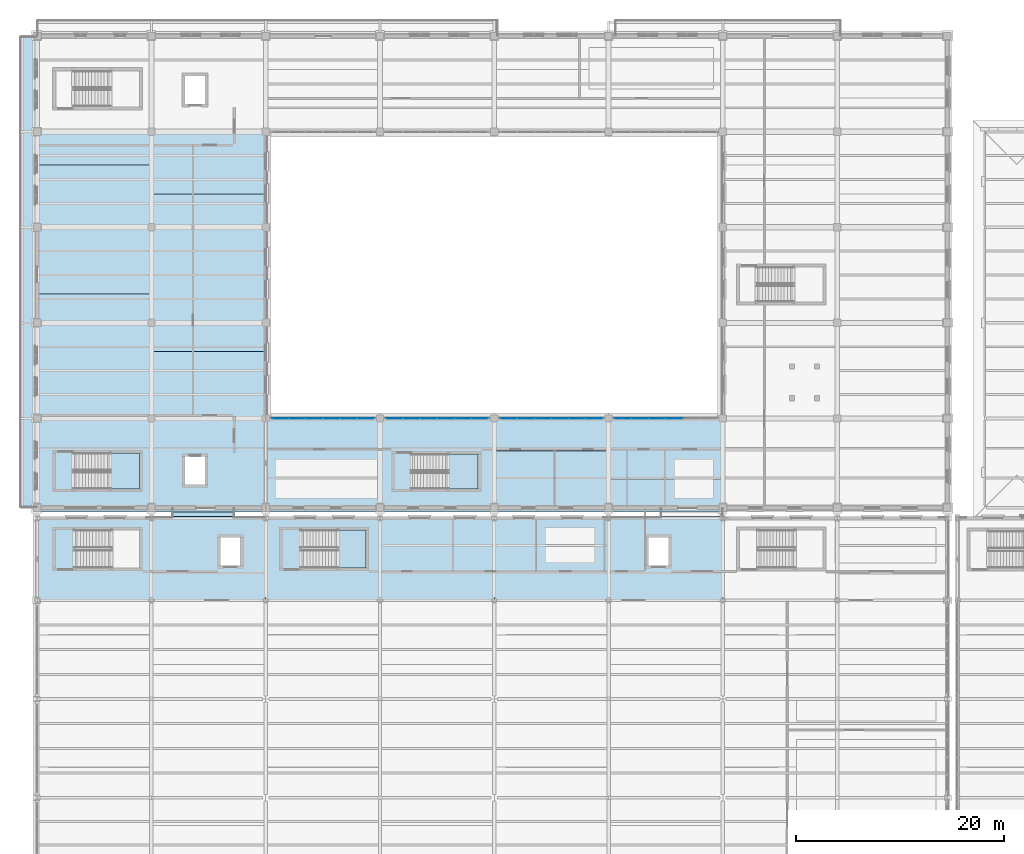
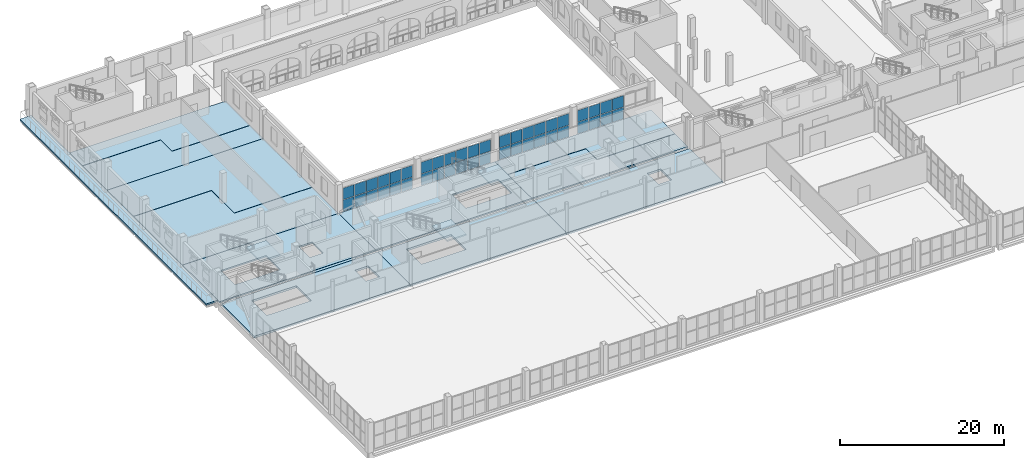
# One storey, part 105 of 156: 44 plates, 16 slabs, 7 elements without a shape of their own.
"""IFC4 building model written with IfcOpenShell, lengths in metres."""

from ifc_helpers import new_model, si_unit, direction, frame, origin, origin_2d, place, context, subcontext, project, spatial, polyline, rectangle, outline, extrude, material, layer, layer_set, type_object, element, aggregate, save


model = new_model("IFC4")

# Units and contexts
model_context = context("Model", 3, precision=1e-05, world=origin(), true_north=direction((0.0, 1.0)))
body_context = subcontext(model_context, "Body", "Model", "MODEL_VIEW")
ifc_project = project(units=[si_unit("LENGTHUNIT", "METRE"), si_unit("AREAUNIT", "SQUARE_METRE"), si_unit("VOLUMEUNIT", "CUBIC_METRE"), si_unit("PLANEANGLEUNIT", "RADIAN"), si_unit("MASSUNIT", "GRAM", prefix="KILO")], contexts=[model_context])

# Site, building, storey
site_placement = place(None, origin())
site = spatial("IfcSite", under=ifc_project, at=site_placement, CompositionType="ELEMENT")
building_placement = place(site_placement, origin())
building = spatial("IfcBuilding", under=site, at=building_placement, Name="Caurita Quay Ferry Terminal", CompositionType="ELEMENT")
storey_placement = place(building_placement, frame((0.0, 0.0, 5.39990234375)))
storey = spatial("IfcBuildingStorey", under=building, at=storey_placement, Name="L01", CompositionType="ELEMENT", Elevation=5.39990234375)

# Curtain wall, plates
ifc_material_1 = material(Name="Laminated solar-control insulated glass", Category="glass")
curtain_wall_type = type_object("IfcCurtainWallType", Name="CW-SYS-23", PredefinedType="NOTDEFINED", material=ifc_material_1)
curtain_wall_1_placement = place(storey_placement, origin())
curtain_wall_1 = element("IfcCurtainWall", 1, at=curtain_wall_1_placement, inside=storey, type_object=curtain_wall_type, Name="L01 Courtyard Cloister Storefront 156", PredefinedType="NOTDEFINED")
ifc_layer_1 = layer(ifc_material_1, 0.02392578125, Name="Laminated low-e hurricane-rated glazing unit 24 mm")
ifc_layer_set_1 = layer_set([ifc_layer_1], Name="Laminated solar-control insulated glass")
plate_type = type_object("IfcPlateType", Name="CW-PNL-24", PredefinedType="CURTAIN_PANEL", material=ifc_layer_set_1)
plate_1_placement = place(storey_placement, frame((23.389892578125, 80.199951171875, 0.05810546875), z_axis=(0.0, 0.0, 1.0), x_axis=(1.0, 0.0, 0.0)))
plate_1 = element("IfcPlate", 2, at=plate_1_placement, type_object=plate_type, Name="CW-CRT-156 Glazing Panel 1", PredefinedType="CURTAIN_PANEL", context=body_context, shape_type="SweptSolid", body=[
    extrude(rectangle(XDim=1.56396484375, YDim=0.02392578125, at=origin_2d()), origin(), (0.0, 0.0, 1.0), 1.714111328125),
])
plate_2_placement = place(storey_placement, frame((23.389892578125, 80.199951171875, 1.828125), z_axis=(0.0, 0.0, 1.0), x_axis=(1.0, 0.0, 0.0)))
plate_2 = element("IfcPlate", 3, at=plate_2_placement, type_object=plate_type, Name="CW-CRT-156 Glazing Panel 2", PredefinedType="CURTAIN_PANEL", context=body_context, shape_type="SweptSolid", body=[
    extrude(rectangle(XDim=1.56396484375, YDim=0.02392578125, at=origin_2d()), origin(), (0.0, 0.0, 1.0), 1.714111328125),
])
plate_3_placement = place(storey_placement, frame((25.02490234375, 80.199951171875, 0.05810546875), z_axis=(0.0, 0.0, 1.0), x_axis=(1.0, 0.0, 0.0)))
plate_3 = element("IfcPlate", 4, at=plate_3_placement, type_object=plate_type, Name="CW-CRT-156 Glazing Panel 3", PredefinedType="CURTAIN_PANEL", context=body_context, shape_type="SweptSolid", body=[
    extrude(rectangle(XDim=1.593994140625, YDim=0.02392578125, at=origin_2d()), origin(), (0.0, 0.0, 1.0), 1.714111328125),
])
plate_4_placement = place(storey_placement, frame((25.02490234375, 80.199951171875, 1.828125), z_axis=(0.0, 0.0, 1.0), x_axis=(1.0, 0.0, 0.0)))
plate_4 = element("IfcPlate", 5, at=plate_4_placement, type_object=plate_type, Name="CW-CRT-156 Glazing Panel 4", PredefinedType="CURTAIN_PANEL", context=body_context, shape_type="SweptSolid", body=[
    extrude(rectangle(XDim=1.593994140625, YDim=0.02392578125, at=origin_2d()), origin(), (0.0, 0.0, 1.0), 1.714111328125),
])
plate_5_placement = place(storey_placement, frame((26.675048828125, 80.199951171875, 0.05810546875), z_axis=(0.0, 0.0, 1.0), x_axis=(1.0, 0.0, 0.0)))
plate_5 = element("IfcPlate", 6, at=plate_5_placement, type_object=plate_type, Name="CW-CRT-156 Glazing Panel 5", PredefinedType="CURTAIN_PANEL", context=body_context, shape_type="SweptSolid", body=[
    extrude(rectangle(XDim=1.593994140625, YDim=0.02392578125, at=origin_2d()), origin(), (0.0, 0.0, 1.0), 1.714111328125),
])
plate_6_placement = place(storey_placement, frame((26.675048828125, 80.199951171875, 1.828125), z_axis=(0.0, 0.0, 1.0), x_axis=(1.0, 0.0, 0.0)))
plate_6 = element("IfcPlate", 7, at=plate_6_placement, type_object=plate_type, Name="CW-CRT-156 Glazing Panel 6", PredefinedType="CURTAIN_PANEL", context=body_context, shape_type="SweptSolid", body=[
    extrude(rectangle(XDim=1.593994140625, YDim=0.02392578125, at=origin_2d()), origin(), (0.0, 0.0, 1.0), 1.714111328125),
])
plate_7_placement = place(storey_placement, frame((28.324951171875, 80.199951171875, 0.05810546875), z_axis=(0.0, 0.0, 1.0), x_axis=(1.0, 0.0, 0.0)))
plate_7 = element("IfcPlate", 8, at=plate_7_placement, type_object=plate_type, Name="CW-CRT-156 Glazing Panel 7", PredefinedType="CURTAIN_PANEL", context=body_context, shape_type="SweptSolid", body=[
    extrude(rectangle(XDim=1.593994140625, YDim=0.02392578125, at=origin_2d()), origin(), (0.0, 0.0, 1.0), 1.714111328125),
])
plate_8_placement = place(storey_placement, frame((28.324951171875, 80.199951171875, 1.828125), z_axis=(0.0, 0.0, 1.0), x_axis=(1.0, 0.0, 0.0)))
plate_8 = element("IfcPlate", 9, at=plate_8_placement, type_object=plate_type, Name="CW-CRT-156 Glazing Panel 8", PredefinedType="CURTAIN_PANEL", context=body_context, shape_type="SweptSolid", body=[
    extrude(rectangle(XDim=1.593994140625, YDim=0.02392578125, at=origin_2d()), origin(), (0.0, 0.0, 1.0), 1.714111328125),
])
plate_9_placement = place(storey_placement, frame((29.97509765625, 80.199951171875, 0.05810546875), z_axis=(0.0, 0.0, 1.0), x_axis=(1.0, 0.0, 0.0)))
plate_9 = element("IfcPlate", 10, at=plate_9_placement, type_object=plate_type, Name="CW-CRT-156 Glazing Panel 9", PredefinedType="CURTAIN_PANEL", context=body_context, shape_type="SweptSolid", body=[
    extrude(rectangle(XDim=1.593994140625, YDim=0.02392578125, at=origin_2d()), origin(), (0.0, 0.0, 1.0), 1.714111328125),
])
plate_10_placement = place(storey_placement, frame((29.97509765625, 80.199951171875, 1.828125), z_axis=(0.0, 0.0, 1.0), x_axis=(1.0, 0.0, 0.0)))
plate_10 = element("IfcPlate", 11, at=plate_10_placement, type_object=plate_type, Name="CW-CRT-156 Glazing Panel 10", PredefinedType="CURTAIN_PANEL", context=body_context, shape_type="SweptSolid", body=[
    extrude(rectangle(XDim=1.593994140625, YDim=0.02392578125, at=origin_2d()), origin(), (0.0, 0.0, 1.0), 1.714111328125),
])
plate_11_placement = place(storey_placement, frame((31.610107421875, 80.199951171875, 0.05810546875), z_axis=(0.0, 0.0, 1.0), x_axis=(1.0, 0.0, 0.0)))
plate_11 = element("IfcPlate", 12, at=plate_11_placement, type_object=plate_type, Name="CW-CRT-156 Glazing Panel 11", PredefinedType="CURTAIN_PANEL", context=body_context, shape_type="SweptSolid", body=[
    extrude(rectangle(XDim=1.56396484375, YDim=0.02392578125, at=origin_2d()), origin(), (0.0, 0.0, 1.0), 1.714111328125),
])
plate_12_placement = place(storey_placement, frame((31.610107421875, 80.199951171875, 1.828125), z_axis=(0.0, 0.0, 1.0), x_axis=(1.0, 0.0, 0.0)))
plate_12 = element("IfcPlate", 13, at=plate_12_placement, type_object=plate_type, Name="CW-CRT-156 Glazing Panel 12", PredefinedType="CURTAIN_PANEL", context=body_context, shape_type="SweptSolid", body=[
    extrude(rectangle(XDim=1.56396484375, YDim=0.02392578125, at=origin_2d()), origin(), (0.0, 0.0, 1.0), 1.714111328125),
])
aggregate(curtain_wall_1, [plate_1, plate_2, plate_3, plate_4, plate_5, plate_6, plate_7, plate_8, plate_9, plate_10, plate_11, plate_12])

curtain_wall_2_placement = place(storey_placement, origin())
curtain_wall_2 = element("IfcCurtainWall", 14, at=curtain_wall_2_placement, inside=storey, type_object=curtain_wall_type, Name="L01 Courtyard Cloister Storefront 157", PredefinedType="NOTDEFINED")
plate_13_placement = place(storey_placement, frame((34.389892578125, 80.199951171875, 0.05810546875), z_axis=(0.0, 0.0, 1.0), x_axis=(1.0, 0.0, 0.0)))
plate_13 = element("IfcPlate", 15, at=plate_13_placement, type_object=plate_type, Name="CW-CRT-157 Glazing Panel 1", PredefinedType="CURTAIN_PANEL", context=body_context, shape_type="SweptSolid", body=[
    extrude(rectangle(XDim=1.56396484375, YDim=0.02392578125, at=origin_2d()), origin(), (0.0, 0.0, 1.0), 1.714111328125),
])
plate_14_placement = place(storey_placement, frame((34.389892578125, 80.199951171875, 1.828125), z_axis=(0.0, 0.0, 1.0), x_axis=(1.0, 0.0, 0.0)))
plate_14 = element("IfcPlate", 16, at=plate_14_placement, type_object=plate_type, Name="CW-CRT-157 Glazing Panel 2", PredefinedType="CURTAIN_PANEL", context=body_context, shape_type="SweptSolid", body=[
    extrude(rectangle(XDim=1.56396484375, YDim=0.02392578125, at=origin_2d()), origin(), (0.0, 0.0, 1.0), 1.714111328125),
])
plate_15_placement = place(storey_placement, frame((36.02490234375, 80.199951171875, 0.05810546875), z_axis=(0.0, 0.0, 1.0), x_axis=(1.0, 0.0, 0.0)))
plate_15 = element("IfcPlate", 17, at=plate_15_placement, type_object=plate_type, Name="CW-CRT-157 Glazing Panel 3", PredefinedType="CURTAIN_PANEL", context=body_context, shape_type="SweptSolid", body=[
    extrude(rectangle(XDim=1.593994140625, YDim=0.02392578125, at=origin_2d()), origin(), (0.0, 0.0, 1.0), 1.714111328125),
])
plate_16_placement = place(storey_placement, frame((36.02490234375, 80.199951171875, 1.828125), z_axis=(0.0, 0.0, 1.0), x_axis=(1.0, 0.0, 0.0)))
plate_16 = element("IfcPlate", 18, at=plate_16_placement, type_object=plate_type, Name="CW-CRT-157 Glazing Panel 4", PredefinedType="CURTAIN_PANEL", context=body_context, shape_type="SweptSolid", body=[
    extrude(rectangle(XDim=1.593994140625, YDim=0.02392578125, at=origin_2d()), origin(), (0.0, 0.0, 1.0), 1.714111328125),
])
plate_17_placement = place(storey_placement, frame((37.675048828125, 80.199951171875, 0.05810546875), z_axis=(0.0, 0.0, 1.0), x_axis=(1.0, 0.0, 0.0)))
plate_17 = element("IfcPlate", 19, at=plate_17_placement, type_object=plate_type, Name="CW-CRT-157 Glazing Panel 5", PredefinedType="CURTAIN_PANEL", context=body_context, shape_type="SweptSolid", body=[
    extrude(rectangle(XDim=1.593994140625, YDim=0.02392578125, at=origin_2d()), origin(), (0.0, 0.0, 1.0), 1.714111328125),
])
plate_18_placement = place(storey_placement, frame((37.675048828125, 80.199951171875, 1.828125), z_axis=(0.0, 0.0, 1.0), x_axis=(1.0, 0.0, 0.0)))
plate_18 = element("IfcPlate", 20, at=plate_18_placement, type_object=plate_type, Name="CW-CRT-157 Glazing Panel 6", PredefinedType="CURTAIN_PANEL", context=body_context, shape_type="SweptSolid", body=[
    extrude(rectangle(XDim=1.593994140625, YDim=0.02392578125, at=origin_2d()), origin(), (0.0, 0.0, 1.0), 1.714111328125),
])
plate_19_placement = place(storey_placement, frame((39.324951171875, 80.199951171875, 0.05810546875), z_axis=(0.0, 0.0, 1.0), x_axis=(1.0, 0.0, 0.0)))
plate_19 = element("IfcPlate", 21, at=plate_19_placement, type_object=plate_type, Name="CW-CRT-157 Glazing Panel 7", PredefinedType="CURTAIN_PANEL", context=body_context, shape_type="SweptSolid", body=[
    extrude(rectangle(XDim=1.593994140625, YDim=0.02392578125, at=origin_2d()), origin(), (0.0, 0.0, 1.0), 1.714111328125),
])
plate_20_placement = place(storey_placement, frame((39.324951171875, 80.199951171875, 1.828125), z_axis=(0.0, 0.0, 1.0), x_axis=(1.0, 0.0, 0.0)))
plate_20 = element("IfcPlate", 22, at=plate_20_placement, type_object=plate_type, Name="CW-CRT-157 Glazing Panel 8", PredefinedType="CURTAIN_PANEL", context=body_context, shape_type="SweptSolid", body=[
    extrude(rectangle(XDim=1.593994140625, YDim=0.02392578125, at=origin_2d()), origin(), (0.0, 0.0, 1.0), 1.714111328125),
])
plate_21_placement = place(storey_placement, frame((40.97509765625, 80.199951171875, 0.05810546875), z_axis=(0.0, 0.0, 1.0), x_axis=(1.0, 0.0, 0.0)))
plate_21 = element("IfcPlate", 23, at=plate_21_placement, type_object=plate_type, Name="CW-CRT-157 Glazing Panel 9", PredefinedType="CURTAIN_PANEL", context=body_context, shape_type="SweptSolid", body=[
    extrude(rectangle(XDim=1.593994140625, YDim=0.02392578125, at=origin_2d()), origin(), (0.0, 0.0, 1.0), 1.714111328125),
])
plate_22_placement = place(storey_placement, frame((40.97509765625, 80.199951171875, 1.828125), z_axis=(0.0, 0.0, 1.0), x_axis=(1.0, 0.0, 0.0)))
plate_22 = element("IfcPlate", 24, at=plate_22_placement, type_object=plate_type, Name="CW-CRT-157 Glazing Panel 10", PredefinedType="CURTAIN_PANEL", context=body_context, shape_type="SweptSolid", body=[
    extrude(rectangle(XDim=1.593994140625, YDim=0.02392578125, at=origin_2d()), origin(), (0.0, 0.0, 1.0), 1.714111328125),
])
plate_23_placement = place(storey_placement, frame((42.610107421875, 80.199951171875, 0.05810546875), z_axis=(0.0, 0.0, 1.0), x_axis=(1.0, 0.0, 0.0)))
plate_23 = element("IfcPlate", 25, at=plate_23_placement, type_object=plate_type, Name="CW-CRT-157 Glazing Panel 11", PredefinedType="CURTAIN_PANEL", context=body_context, shape_type="SweptSolid", body=[
    extrude(rectangle(XDim=1.56396484375, YDim=0.02392578125, at=origin_2d()), origin(), (0.0, 0.0, 1.0), 1.714111328125),
])
plate_24_placement = place(storey_placement, frame((42.610107421875, 80.199951171875, 1.828125), z_axis=(0.0, 0.0, 1.0), x_axis=(1.0, 0.0, 0.0)))
plate_24 = element("IfcPlate", 26, at=plate_24_placement, type_object=plate_type, Name="CW-CRT-157 Glazing Panel 12", PredefinedType="CURTAIN_PANEL", context=body_context, shape_type="SweptSolid", body=[
    extrude(rectangle(XDim=1.56396484375, YDim=0.02392578125, at=origin_2d()), origin(), (0.0, 0.0, 1.0), 1.714111328125),
])
aggregate(curtain_wall_2, [plate_13, plate_14, plate_15, plate_16, plate_17, plate_18, plate_19, plate_20, plate_21, plate_22, plate_23, plate_24])

curtain_wall_3_placement = place(storey_placement, origin())
curtain_wall_3 = element("IfcCurtainWall", 27, at=curtain_wall_3_placement, inside=storey, type_object=curtain_wall_type, Name="L01 Courtyard Cloister Storefront 158", PredefinedType="NOTDEFINED")
plate_25_placement = place(storey_placement, frame((45.389892578125, 80.199951171875, 0.05810546875), z_axis=(0.0, 0.0, 1.0), x_axis=(1.0, 0.0, 0.0)))
plate_25 = element("IfcPlate", 28, at=plate_25_placement, type_object=plate_type, Name="CW-CRT-158 Glazing Panel 1", PredefinedType="CURTAIN_PANEL", context=body_context, shape_type="SweptSolid", body=[
    extrude(rectangle(XDim=1.56396484375, YDim=0.02392578125, at=origin_2d()), origin(), (0.0, 0.0, 1.0), 1.714111328125),
])
plate_26_placement = place(storey_placement, frame((45.389892578125, 80.199951171875, 1.828125), z_axis=(0.0, 0.0, 1.0), x_axis=(1.0, 0.0, 0.0)))
plate_26 = element("IfcPlate", 29, at=plate_26_placement, type_object=plate_type, Name="CW-CRT-158 Glazing Panel 2", PredefinedType="CURTAIN_PANEL", context=body_context, shape_type="SweptSolid", body=[
    extrude(rectangle(XDim=1.56396484375, YDim=0.02392578125, at=origin_2d()), origin(), (0.0, 0.0, 1.0), 1.714111328125),
])
plate_27_placement = place(storey_placement, frame((47.02490234375, 80.199951171875, 0.05810546875), z_axis=(0.0, 0.0, 1.0), x_axis=(1.0, 0.0, 0.0)))
plate_27 = element("IfcPlate", 30, at=plate_27_placement, type_object=plate_type, Name="CW-CRT-158 Glazing Panel 3", PredefinedType="CURTAIN_PANEL", context=body_context, shape_type="SweptSolid", body=[
    extrude(rectangle(XDim=1.593994140625, YDim=0.02392578125, at=origin_2d()), origin(), (0.0, 0.0, 1.0), 1.714111328125),
])
plate_28_placement = place(storey_placement, frame((47.02490234375, 80.199951171875, 1.828125), z_axis=(0.0, 0.0, 1.0), x_axis=(1.0, 0.0, 0.0)))
plate_28 = element("IfcPlate", 31, at=plate_28_placement, type_object=plate_type, Name="CW-CRT-158 Glazing Panel 4", PredefinedType="CURTAIN_PANEL", context=body_context, shape_type="SweptSolid", body=[
    extrude(rectangle(XDim=1.593994140625, YDim=0.02392578125, at=origin_2d()), origin(), (0.0, 0.0, 1.0), 1.714111328125),
])
plate_29_placement = place(storey_placement, frame((48.675048828125, 80.199951171875, 0.05810546875), z_axis=(0.0, 0.0, 1.0), x_axis=(1.0, 0.0, 0.0)))
plate_29 = element("IfcPlate", 32, at=plate_29_placement, type_object=plate_type, Name="CW-CRT-158 Glazing Panel 5", PredefinedType="CURTAIN_PANEL", context=body_context, shape_type="SweptSolid", body=[
    extrude(rectangle(XDim=1.593994140625, YDim=0.02392578125, at=origin_2d()), origin(), (0.0, 0.0, 1.0), 1.714111328125),
])
plate_30_placement = place(storey_placement, frame((48.675048828125, 80.199951171875, 1.828125), z_axis=(0.0, 0.0, 1.0), x_axis=(1.0, 0.0, 0.0)))
plate_30 = element("IfcPlate", 33, at=plate_30_placement, type_object=plate_type, Name="CW-CRT-158 Glazing Panel 6", PredefinedType="CURTAIN_PANEL", context=body_context, shape_type="SweptSolid", body=[
    extrude(rectangle(XDim=1.593994140625, YDim=0.02392578125, at=origin_2d()), origin(), (0.0, 0.0, 1.0), 1.714111328125),
])
plate_31_placement = place(storey_placement, frame((50.324951171875, 80.199951171875, 0.05810546875), z_axis=(0.0, 0.0, 1.0), x_axis=(1.0, 0.0, 0.0)))
plate_31 = element("IfcPlate", 34, at=plate_31_placement, type_object=plate_type, Name="CW-CRT-158 Glazing Panel 7", PredefinedType="CURTAIN_PANEL", context=body_context, shape_type="SweptSolid", body=[
    extrude(rectangle(XDim=1.593994140625, YDim=0.02392578125, at=origin_2d()), origin(), (0.0, 0.0, 1.0), 1.714111328125),
])
plate_32_placement = place(storey_placement, frame((50.324951171875, 80.199951171875, 1.828125), z_axis=(0.0, 0.0, 1.0), x_axis=(1.0, 0.0, 0.0)))
plate_32 = element("IfcPlate", 35, at=plate_32_placement, type_object=plate_type, Name="CW-CRT-158 Glazing Panel 8", PredefinedType="CURTAIN_PANEL", context=body_context, shape_type="SweptSolid", body=[
    extrude(rectangle(XDim=1.593994140625, YDim=0.02392578125, at=origin_2d()), origin(), (0.0, 0.0, 1.0), 1.714111328125),
])
plate_33_placement = place(storey_placement, frame((51.97509765625, 80.199951171875, 0.05810546875), z_axis=(0.0, 0.0, 1.0), x_axis=(1.0, 0.0, 0.0)))
plate_33 = element("IfcPlate", 36, at=plate_33_placement, type_object=plate_type, Name="CW-CRT-158 Glazing Panel 9", PredefinedType="CURTAIN_PANEL", context=body_context, shape_type="SweptSolid", body=[
    extrude(rectangle(XDim=1.593994140625, YDim=0.02392578125, at=origin_2d()), origin(), (0.0, 0.0, 1.0), 1.714111328125),
])
plate_34_placement = place(storey_placement, frame((51.97509765625, 80.199951171875, 1.828125), z_axis=(0.0, 0.0, 1.0), x_axis=(1.0, 0.0, 0.0)))
plate_34 = element("IfcPlate", 37, at=plate_34_placement, type_object=plate_type, Name="CW-CRT-158 Glazing Panel 10", PredefinedType="CURTAIN_PANEL", context=body_context, shape_type="SweptSolid", body=[
    extrude(rectangle(XDim=1.593994140625, YDim=0.02392578125, at=origin_2d()), origin(), (0.0, 0.0, 1.0), 1.714111328125),
])
plate_35_placement = place(storey_placement, frame((53.610107421875, 80.199951171875, 0.05810546875), z_axis=(0.0, 0.0, 1.0), x_axis=(1.0, 0.0, 0.0)))
plate_35 = element("IfcPlate", 38, at=plate_35_placement, type_object=plate_type, Name="CW-CRT-158 Glazing Panel 11", PredefinedType="CURTAIN_PANEL", context=body_context, shape_type="SweptSolid", body=[
    extrude(rectangle(XDim=1.56396484375, YDim=0.02392578125, at=origin_2d()), origin(), (0.0, 0.0, 1.0), 1.714111328125),
])
plate_36_placement = place(storey_placement, frame((53.610107421875, 80.199951171875, 1.828125), z_axis=(0.0, 0.0, 1.0), x_axis=(1.0, 0.0, 0.0)))
plate_36 = element("IfcPlate", 39, at=plate_36_placement, type_object=plate_type, Name="CW-CRT-158 Glazing Panel 12", PredefinedType="CURTAIN_PANEL", context=body_context, shape_type="SweptSolid", body=[
    extrude(rectangle(XDim=1.56396484375, YDim=0.02392578125, at=origin_2d()), origin(), (0.0, 0.0, 1.0), 1.714111328125),
])
aggregate(curtain_wall_3, [plate_25, plate_26, plate_27, plate_28, plate_29, plate_30, plate_31, plate_32, plate_33, plate_34, plate_35, plate_36])

curtain_wall_4_placement = place(storey_placement, origin())
curtain_wall_4 = element("IfcCurtainWall", 40, at=curtain_wall_4_placement, inside=storey, type_object=curtain_wall_type, Name="L01 Courtyard Cloister Storefront 159", PredefinedType="NOTDEFINED")
plate_37_placement = place(storey_placement, frame((56.389892578125, 80.199951171875, 0.05810546875), z_axis=(0.0, 0.0, 1.0), x_axis=(1.0, 0.0, 0.0)))
plate_37 = element("IfcPlate", 41, at=plate_37_placement, type_object=plate_type, Name="CW-CRT-159 Glazing Panel 1", PredefinedType="CURTAIN_PANEL", context=body_context, shape_type="SweptSolid", body=[
    extrude(rectangle(XDim=1.56396484375, YDim=0.02392578125, at=origin_2d()), origin(), (0.0, 0.0, 1.0), 1.714111328125),
])
plate_38_placement = place(storey_placement, frame((56.389892578125, 80.199951171875, 1.828125), z_axis=(0.0, 0.0, 1.0), x_axis=(1.0, 0.0, 0.0)))
plate_38 = element("IfcPlate", 42, at=plate_38_placement, type_object=plate_type, Name="CW-CRT-159 Glazing Panel 2", PredefinedType="CURTAIN_PANEL", context=body_context, shape_type="SweptSolid", body=[
    extrude(rectangle(XDim=1.56396484375, YDim=0.02392578125, at=origin_2d()), origin(), (0.0, 0.0, 1.0), 1.714111328125),
])
plate_39_placement = place(storey_placement, frame((58.02490234375, 80.199951171875, 0.05810546875), z_axis=(0.0, 0.0, 1.0), x_axis=(1.0, 0.0, 0.0)))
plate_39 = element("IfcPlate", 43, at=plate_39_placement, type_object=plate_type, Name="CW-CRT-159 Glazing Panel 3", PredefinedType="CURTAIN_PANEL", context=body_context, shape_type="SweptSolid", body=[
    extrude(rectangle(XDim=1.593994140625, YDim=0.02392578125, at=origin_2d()), origin(), (0.0, 0.0, 1.0), 1.714111328125),
])
plate_40_placement = place(storey_placement, frame((58.02490234375, 80.199951171875, 1.828125), z_axis=(0.0, 0.0, 1.0), x_axis=(1.0, 0.0, 0.0)))
plate_40 = element("IfcPlate", 44, at=plate_40_placement, type_object=plate_type, Name="CW-CRT-159 Glazing Panel 4", PredefinedType="CURTAIN_PANEL", context=body_context, shape_type="SweptSolid", body=[
    extrude(rectangle(XDim=1.593994140625, YDim=0.02392578125, at=origin_2d()), origin(), (0.0, 0.0, 1.0), 1.714111328125),
])
plate_41_placement = place(storey_placement, frame((59.675048828125, 80.199951171875, 0.05810546875), z_axis=(0.0, 0.0, 1.0), x_axis=(1.0, 0.0, 0.0)))
plate_41 = element("IfcPlate", 45, at=plate_41_placement, type_object=plate_type, Name="CW-CRT-159 Glazing Panel 5", PredefinedType="CURTAIN_PANEL", context=body_context, shape_type="SweptSolid", body=[
    extrude(rectangle(XDim=1.593994140625, YDim=0.02392578125, at=origin_2d()), origin(), (0.0, 0.0, 1.0), 1.714111328125),
])
plate_42_placement = place(storey_placement, frame((59.675048828125, 80.199951171875, 1.828125), z_axis=(0.0, 0.0, 1.0), x_axis=(1.0, 0.0, 0.0)))
plate_42 = element("IfcPlate", 46, at=plate_42_placement, type_object=plate_type, Name="CW-CRT-159 Glazing Panel 6", PredefinedType="CURTAIN_PANEL", context=body_context, shape_type="SweptSolid", body=[
    extrude(rectangle(XDim=1.593994140625, YDim=0.02392578125, at=origin_2d()), origin(), (0.0, 0.0, 1.0), 1.714111328125),
])
plate_43_placement = place(storey_placement, frame((61.324951171875, 80.199951171875, 0.05810546875), z_axis=(0.0, 0.0, 1.0), x_axis=(1.0, 0.0, 0.0)))
plate_43 = element("IfcPlate", 47, at=plate_43_placement, type_object=plate_type, Name="CW-CRT-159 Glazing Panel 7", PredefinedType="CURTAIN_PANEL", context=body_context, shape_type="SweptSolid", body=[
    extrude(rectangle(XDim=1.593994140625, YDim=0.02392578125, at=origin_2d()), origin(), (0.0, 0.0, 1.0), 1.714111328125),
])
plate_44_placement = place(storey_placement, frame((61.324951171875, 80.199951171875, 1.828125), z_axis=(0.0, 0.0, 1.0), x_axis=(1.0, 0.0, 0.0)))
plate_44 = element("IfcPlate", 48, at=plate_44_placement, type_object=plate_type, Name="CW-CRT-159 Glazing Panel 8", PredefinedType="CURTAIN_PANEL", context=body_context, shape_type="SweptSolid", body=[
    extrude(rectangle(XDim=1.593994140625, YDim=0.02392578125, at=origin_2d()), origin(), (0.0, 0.0, 1.0), 1.714111328125),
])
aggregate(curtain_wall_4, [plate_37, plate_38, plate_39, plate_40, plate_41, plate_42, plate_43, plate_44])

# Slabs
ifc_material_2 = material(Name="Reinforced concrete C35/45", Category="concrete")
ifc_layer_2 = layer(ifc_material_2, 0.219970703125, Name="Reinforced concrete floor slab 220 mm")
ifc_layer_set_2 = layer_set([ifc_layer_2], Name="Reinforced concrete C35/45")
slab_type_1 = type_object("IfcSlabType", Name="SLB-BAL-220", PredefinedType="FLOOR", material=ifc_layer_set_2)
slab_1_placement = place(storey_placement, frame((0.0, 0.0, -0.219970703125)))
element("IfcSlab", 49, at=slab_1_placement, inside=storey, type_object=slab_type_1, Name="West Quay Portales Gallery Balcony", PredefinedType="FLOOR", context=body_context, shape_type="SweptSolid", body=[
    extrude(outline(polyline([(-1.64990234375, 71.60009765625), (0.0, 71.60009765625), (0.0, 117.0), (-1.64990234375, 117.0), (-1.64990234375, 71.60009765625)])), origin(), (0.0, 0.0, 1.0), 0.219970703125),
])
ifc_layer_3 = layer(ifc_material_2, 0.300048828125, Name="Reinforced concrete floor slab 300 mm")
ifc_layer_set_3 = layer_set([ifc_layer_3], Name="Reinforced concrete C35/45")
slab_type_2 = type_object("IfcSlabType", Name="SLB-CONC-300", PredefinedType="FLOOR", material=ifc_layer_set_3)
slab_2_placement = place(storey_placement, frame((0.0, 0.0, -0.2998046875)))
element("IfcSlab", 50, at=slab_2_placement, inside=storey, type_object=slab_type_2, Name="L01 V1-FLR Slab 03", PredefinedType="FLOOR", context=body_context, shape_type="SweptSolid", body=[
    extrude(outline(polyline([(0.0, 62.699951171875), (22.0, 62.699951171875), (22.0, 70.75), (0.0, 70.75), (0.0, 62.699951171875)]), holes=[polyline([(3.550048828125, 65.800048828125), (9.85009765625, 65.800048828125), (9.85009765625, 69.4599609375), (3.550048828125, 69.4599609375), (3.550048828125, 65.800048828125)]), polyline([(17.655029296875, 66.054931640625), (19.544921875, 66.054931640625), (19.544921875, 68.7451171875), (17.655029296875, 68.7451171875), (17.655029296875, 66.054931640625)])]), origin(), (0.0, 0.0, 1.0), 0.2998046875),
])
slab_3_placement = place(storey_placement, frame((0.0, 0.0, -0.2998046875)))
element("IfcSlab", 51, at=slab_3_placement, inside=storey, type_object=slab_type_2, Name="L01 V1-FLR Slab 06", PredefinedType="FLOOR", context=body_context, shape_type="SweptSolid", body=[
    extrude(outline(polyline([(22.0, 62.699951171875), (44.0, 62.699951171875), (44.0, 70.75), (22.0, 70.75), (22.0, 62.699951171875)]), holes=[polyline([(25.35009765625, 65.800048828125), (31.64990234375, 65.800048828125), (31.64990234375, 69.4599609375), (25.35009765625, 69.4599609375), (25.35009765625, 65.800048828125)])]), origin(), (0.0, 0.0, 1.0), 0.2998046875),
])
slab_4_placement = place(storey_placement, frame((0.0, 0.0, -0.2998046875)))
element("IfcSlab", 52, at=slab_4_placement, inside=storey, type_object=slab_type_2, Name="L01 V1-FLR Slab 09", PredefinedType="FLOOR", context=body_context, shape_type="SweptSolid", body=[
    extrude(outline(polyline([(44.0, 62.699951171875), (66.0, 62.699951171875), (66.0, 70.75), (44.0, 70.75), (44.0, 62.699951171875)]), holes=[polyline([(58.85498046875, 66.054931640625), (60.7451171875, 66.054931640625), (60.7451171875, 68.7451171875), (58.85498046875, 68.7451171875), (58.85498046875, 66.054931640625)])]), origin(), (0.0, 0.0, 1.0), 0.2998046875),
])
ifc_layer_4 = layer(ifc_material_2, 0.219970703125, Name="Reinforced concrete floor slab 220 mm")
ifc_layer_set_4 = layer_set([ifc_layer_4], Name="Reinforced concrete C35/45")
slab_type_3 = type_object("IfcSlabType", Name="SLB-FLR-220", PredefinedType="FLOOR", material=ifc_layer_set_4)
slab_5_placement = place(storey_placement, frame((0.0, 0.0, -0.219970703125)))
element("IfcSlab", 53, at=slab_5_placement, inside=storey, type_object=slab_type_3, Name="L01 SJ4-W Slab 01", PredefinedType="FLOOR", context=body_context, shape_type="SweptSolid", body=[
    extrude(outline(polyline([(13.0, 70.760009765625), (19.0, 70.760009765625), (19.0, 71.18994140625), (13.0, 71.18994140625), (13.0, 70.760009765625)])), origin(), (0.0, 0.0, 1.0), 0.219970703125),
])
slab_6_placement = place(storey_placement, frame((0.0, 0.0, -0.219970703125)))
element("IfcSlab", 54, at=slab_6_placement, inside=storey, type_object=slab_type_3, Name="L01 V5-FLR Slab 01", PredefinedType="FLOOR", context=body_context, shape_type="SweptSolid", body=[
    extrude(outline(polyline([(0.0, 71.199951171875), (22.0, 71.199951171875), (22.0, 80.199951171875), (0.0, 80.199951171875), (0.0, 71.199951171875)]), holes=[polyline([(3.449951171875, 73.39990234375), (9.85009765625, 73.39990234375), (9.85009765625, 76.860107421875), (3.449951171875, 76.860107421875), (3.449951171875, 73.39990234375)]), polyline([(14.2548828125, 73.85498046875), (16.14501953125, 73.85498046875), (16.14501953125, 76.544921875), (14.2548828125, 76.544921875), (14.2548828125, 73.85498046875)])]), origin(), (0.0, 0.0, 1.0), 0.219970703125),
])
slab_7_placement = place(storey_placement, frame((0.0, 0.0, -0.219970703125)))
element("IfcSlab", 55, at=slab_7_placement, inside=storey, type_object=slab_type_3, Name="L01 V5-FLR Slab 02A", PredefinedType="FLOOR", context=body_context, shape_type="SweptSolid", body=[
    extrude(outline(polyline([(0.0, 80.199951171875), (22.0, 80.199951171875), (22.0, 86.625), (10.985107421875, 86.625), (10.985107421875, 92.14501953125), (0.0, 92.14501953125), (0.0, 80.199951171875)])), origin(), (0.0, 0.0, 1.0), 0.219970703125),
])
slab_8_placement = place(storey_placement, frame((0.0, 0.0, -0.219970703125)))
element("IfcSlab", 56, at=slab_8_placement, inside=storey, type_object=slab_type_3, Name="L01 V5-FLR Slab 02B", PredefinedType="FLOOR", context=body_context, shape_type="SweptSolid", body=[
    extrude(outline(polyline([(11.014892578125, 86.655029296875), (22.0, 86.655029296875), (22.0, 98.60009765625), (0.0, 98.60009765625), (0.0, 92.175048828125), (11.014892578125, 92.175048828125), (11.014892578125, 86.655029296875)])), origin(), (0.0, 0.0, 1.0), 0.219970703125),
])
slab_9_placement = place(storey_placement, frame((0.0, 0.0, -0.219970703125)))
element("IfcSlab", 57, at=slab_9_placement, inside=storey, type_object=slab_type_3, Name="L01 V5-FLR Slab 03A", PredefinedType="FLOOR", context=body_context, shape_type="SweptSolid", body=[
    extrude(outline(polyline([(0.0, 98.60009765625), (22.0, 98.60009765625), (22.0, 101.804931640625), (10.985107421875, 101.804931640625), (10.985107421875, 104.56494140625), (0.0, 104.56494140625), (0.0, 98.60009765625)])), origin(), (0.0, 0.0, 1.0), 0.219970703125),
])
slab_10_placement = place(storey_placement, frame((0.0, 0.0, -0.219970703125)))
element("IfcSlab", 58, at=slab_10_placement, inside=storey, type_object=slab_type_3, Name="L01 V5-FLR Slab 03B", PredefinedType="FLOOR", context=body_context, shape_type="SweptSolid", body=[
    extrude(outline(polyline([(11.014892578125, 101.8349609375), (22.0, 101.8349609375), (22.0, 107.800048828125), (0.0, 107.800048828125), (0.0, 104.594970703125), (11.014892578125, 104.594970703125), (11.014892578125, 101.8349609375)])), origin(), (0.0, 0.0, 1.0), 0.219970703125),
])
slab_11_placement = place(storey_placement, frame((0.0, 0.0, -0.219970703125)))
element("IfcSlab", 59, at=slab_11_placement, inside=storey, type_object=slab_type_3, Name="L01 V5-FLR Slab 05", PredefinedType="FLOOR", context=body_context, shape_type="SweptSolid", body=[
    extrude(outline(polyline([(22.0, 71.199951171875), (44.0, 71.199951171875), (44.0, 80.199951171875), (22.0, 80.199951171875), (22.0, 71.199951171875)]), holes=[polyline([(36.0, 73.39990234375), (42.449951171875, 73.39990234375), (42.449951171875, 76.760009765625), (36.0, 76.760009765625), (36.0, 73.39990234375)])]), origin(), (0.0, 0.0, 1.0), 0.219970703125),
])
slab_12_placement = place(storey_placement, frame((0.0, 0.0, -0.219970703125)))
element("IfcSlab", 60, at=slab_12_placement, inside=storey, type_object=slab_type_3, Name="L01 V5-FLR Slab 07A", PredefinedType="FLOOR", context=body_context, shape_type="SweptSolid", body=[
    extrude(outline(polyline([(44.0, 71.199951171875), (66.0, 71.199951171875), (66.0, 74.3349609375), (54.985107421875, 74.3349609375), (54.985107421875, 77.034912109375), (44.0, 77.034912109375), (44.0, 71.199951171875)])), origin(), (0.0, 0.0, 1.0), 0.219970703125),
])
slab_13_placement = place(storey_placement, frame((0.0, 0.0, -0.219970703125)))
element("IfcSlab", 61, at=slab_13_placement, inside=storey, type_object=slab_type_3, Name="L01 V5-FLR Slab 07B", PredefinedType="FLOOR", context=body_context, shape_type="SweptSolid", body=[
    extrude(outline(polyline([(55.014892578125, 74.364990234375), (66.0, 74.364990234375), (66.0, 80.199951171875), (44.0, 80.199951171875), (44.0, 77.06494140625), (55.014892578125, 77.06494140625), (55.014892578125, 74.364990234375)])), origin(), (0.0, 0.0, 1.0), 0.219970703125),
])

# Stair, slab
stair_type_1 = type_object("IfcStairType", Name="STR-DL-02", PredefinedType="HALF_TURN_STAIR", material=ifc_material_2)
stair_1_placement = place(storey_placement, origin())
stair_1 = element("IfcStair", 62, at=stair_1_placement, inside=storey, type_object=stair_type_1, Name="L01 Protected Exit Stair ST-02", PredefinedType="HALF_TURN_STAIR")
ifc_layer_5 = layer(ifc_material_2, 0.199951171875, Name="Reinforced concrete landing slab 200 mm")
ifc_layer_set_5 = layer_set([ifc_layer_5], Name="Reinforced concrete C35/45")
slab_type_4 = type_object("IfcSlabType", Name="SLB-LND-200", PredefinedType="LANDING", material=ifc_layer_set_5)
slab_14_placement = place(storey_placement, frame((0.0, 0.0, 2.050048828125)))
slab_14 = element("IfcSlab", 63, at=slab_14_placement, type_object=slab_type_4, Name="ST-02 landing 1", PredefinedType="LANDING", context=body_context, shape_type="SweptSolid", body=[
    extrude(outline(polyline([(7.050048828125, 73.39990234375), (9.85009765625, 73.39990234375), (9.85009765625, 76.860107421875), (7.050048828125, 76.860107421875), (7.050048828125, 73.39990234375)])), origin(), (0.0, 0.0, 1.0), 0.199951171875),
])
aggregate(stair_1, [slab_14])

stair_type_2 = type_object("IfcStairType", Name="STR-DL-05", PredefinedType="HALF_TURN_STAIR", material=ifc_material_2)
stair_2_placement = place(storey_placement, origin())
stair_2 = element("IfcStair", 64, at=stair_2_placement, inside=storey, type_object=stair_type_2, Name="L01 Protected Exit Stair ST-03", PredefinedType="HALF_TURN_STAIR")
slab_15_placement = place(storey_placement, frame((0.0, 0.0, 2.050048828125)))
slab_15 = element("IfcSlab", 65, at=slab_15_placement, type_object=slab_type_4, Name="ST-03 landing 1", PredefinedType="LANDING", context=body_context, shape_type="SweptSolid", body=[
    extrude(outline(polyline([(39.60009765625, 73.39990234375), (42.449951171875, 73.39990234375), (42.449951171875, 76.760009765625), (39.60009765625, 76.760009765625), (39.60009765625, 73.39990234375)])), origin(), (0.0, 0.0, 1.0), 0.199951171875),
])
aggregate(stair_2, [slab_15])

stair_type_3 = type_object("IfcStairType", Name="STR-DL-08", PredefinedType="HALF_TURN_STAIR", material=ifc_material_2)
stair_3_placement = place(storey_placement, origin())
stair_3 = element("IfcStair", 66, at=stair_3_placement, inside=storey, type_object=stair_type_3, Name="L01 Protected Exit Stair ST-06", PredefinedType="HALF_TURN_STAIR")
slab_16_placement = place(storey_placement, frame((0.0, 0.0, 2.050048828125)))
slab_16 = element("IfcSlab", 67, at=slab_16_placement, type_object=slab_type_4, Name="ST-06 landing 1", PredefinedType="LANDING", context=body_context, shape_type="SweptSolid", body=[
    extrude(outline(polyline([(28.949951171875, 65.800048828125), (31.64990234375, 65.800048828125), (31.64990234375, 69.4599609375), (28.949951171875, 69.4599609375), (28.949951171875, 65.800048828125)])), origin(), (0.0, 0.0, 1.0), 0.199951171875),
])
aggregate(stair_3, [slab_16])

save(model, "model.ifc")
